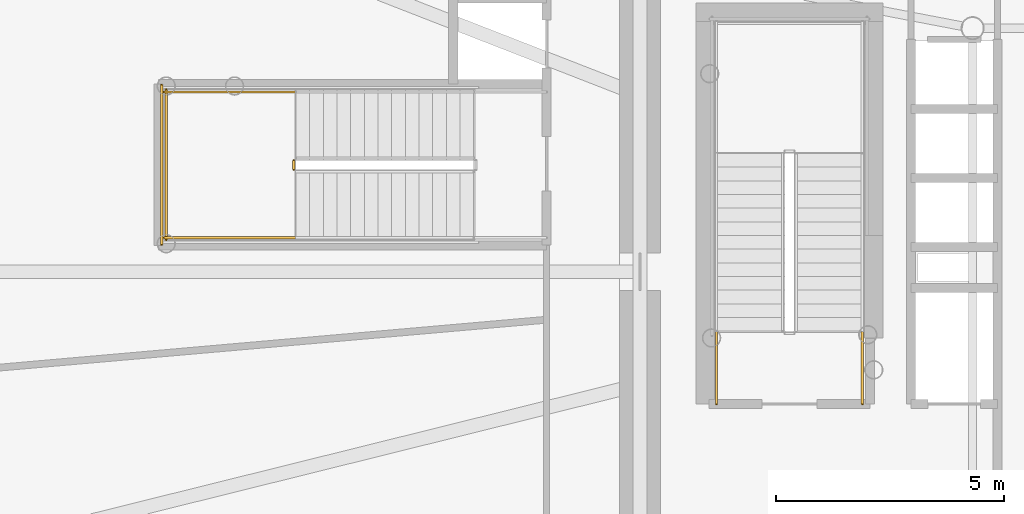
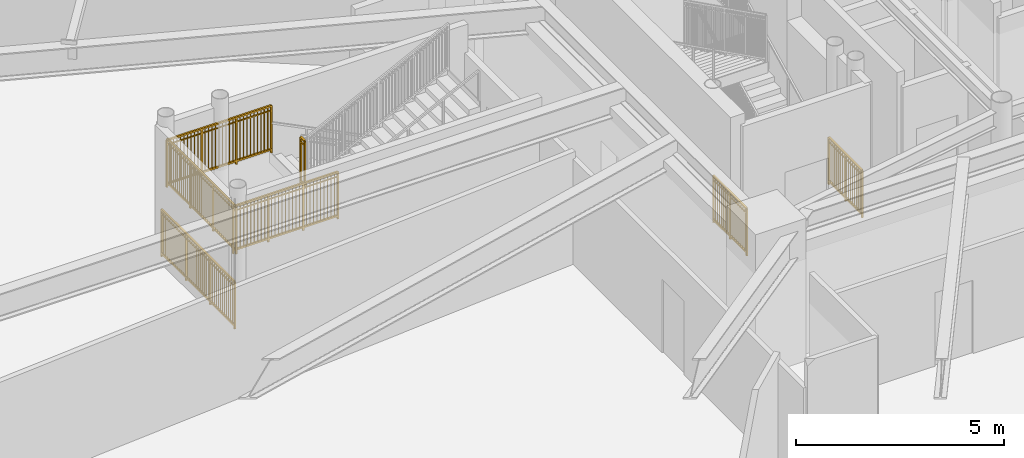
# One storey, part 20 of 30: 7 railings.
"""IFC4 building model written with IfcOpenShell, lengths in metres."""

import ifcopenshell
import ifcopenshell.guid

model = None  # the IFC model being written
_history = None  # IfcOwnerHistory: only IFC2X3 demands one
_inside = {}  # id of a spatial element -> (the spatial element, [elements in it])
_under = {}  # id of a project, library or spatial element -> (it, [spatial elements below it])
_declared = {}  # id of a project -> (the project, [libraries it declares])
_typed = {}  # id of a type object -> (the type object, [elements of that type])
_made_of = {}  # id of a material, layer set ... -> (it, [elements and type objects made of it])


def new_model(schema):
    """Start an empty IFC model of exactly this schema.

    Asked for "IFC4X3", IfcOpenShell would pick the latest addendum, in which some entities
    have other attributes; the version numbers below select the first issue.
    IFC2X3 requires an IfcOwnerHistory on every rooted entity: one is made here for all.
    """
    global model, _history
    if schema == "IFC4X3":
        model = ifcopenshell.file(schema_version=(4, 3, 0, 0))
    else:
        model = ifcopenshell.file(schema=schema)
    _inside.clear()
    _under.clear()
    _declared.clear()
    _typed.clear()
    _made_of.clear()
    _history = None
    if model.schema == "IFC2X3":
        org = make("IfcOrganization", Name="unknown")
        user = make(
            "IfcPersonAndOrganization",
            ThePerson=make("IfcPerson", FamilyName="unknown"),
            TheOrganization=org,
        )
        app = make(
            "IfcApplication",
            ApplicationDeveloper=org,
            Version="unknown",
            ApplicationFullName="unknown",
            ApplicationIdentifier="unknown",
        )
        _history = make(
            "IfcOwnerHistory",
            OwningUser=user,
            OwningApplication=app,
            ChangeAction="ADDED",
            CreationDate=0,
        )
    return model


def make(cls, **values):
    """One entity of the class cls with the attributes given. An attribute that is None is left unset."""
    return model.create_entity(
        cls, **{name: value for name, value in values.items() if value is not None}
    )


def rooted(cls, **values):
    """An entity with a GlobalId (a new one), such as an element, a storey or a relation."""
    return make(cls, GlobalId=ifcopenshell.guid.new(), OwnerHistory=_history, **values)


def si_unit(unit_type, name, prefix=None):
    """IfcSIUnit, for example si_unit("LENGTHUNIT", "METRE", prefix="MILLI")."""
    return make("IfcSIUnit", UnitType=unit_type, Prefix=prefix, Name=name)


def assignment(units):
    """IfcUnitAssignment: the units of a project."""
    return None if units is None else make("IfcUnitAssignment", Units=units)


def point(xyz):
    """IfcCartesianPoint."""
    return None if xyz is None else make("IfcCartesianPoint", Coordinates=xyz)


def direction(xyz):
    """IfcDirection."""
    return None if xyz is None else make("IfcDirection", DirectionRatios=xyz)


def frame(location, z_axis=None, x_axis=None):
    """IfcAxis2Placement3D, a coordinate frame: its origin and axes. An axis left out is left unset."""
    return make(
        "IfcAxis2Placement3D",
        Location=point(location),
        Axis=direction(z_axis),
        RefDirection=direction(x_axis),
    )


def frame_2d(location, x_axis=None):
    """IfcAxis2Placement2D, a coordinate frame in the plane: its origin and x axis."""
    return make(
        "IfcAxis2Placement2D", Location=point(location), RefDirection=direction(x_axis)
    )


def origin():
    """The frame at (0, 0, 0) with its axes left unset."""
    return frame((0.0, 0.0, 0.0))


def origin_2d():
    """The frame at (0, 0) in the plane with its x axis left unset."""
    return frame_2d((0.0, 0.0))


def place(relative_to, where):
    """IfcLocalPlacement: puts the frame where relative to a parent placement (None: the world)."""
    return make(
        "IfcLocalPlacement", PlacementRelTo=relative_to, RelativePlacement=where
    )


def context(
    kind, dimensions, precision=None, world=None, true_north=None, identifier=None
):
    """IfcGeometricRepresentationContext, for example the 3D "Model" context."""
    return make(
        "IfcGeometricRepresentationContext",
        ContextIdentifier=identifier,
        ContextType=kind,
        CoordinateSpaceDimension=dimensions,
        Precision=precision,
        WorldCoordinateSystem=world,
        TrueNorth=true_north,
    )


def subcontext(parent, identifier, kind, view, scale=None):
    """IfcGeometricRepresentationSubContext, for example "Body" below "Model"."""
    return make(
        "IfcGeometricRepresentationSubContext",
        ContextIdentifier=identifier,
        ContextType=kind,
        ParentContext=parent,
        TargetScale=scale,
        TargetView=view,
    )


def project(units=None, contexts=None):
    """IfcProject with its units and contexts."""
    return rooted(
        "IfcProject",
        Name="project",
        RepresentationContexts=contexts,
        UnitsInContext=assignment(units),
    )


def spatial(cls, under=None, at=None, **own):
    """A site, building, storey or space (cls), placed at a placement, below another one or the project."""
    s = rooted(cls, ObjectPlacement=at, **own)
    if under is not None:
        _under.setdefault(under.id(), (under, []))[1].append(s)
    return s


def profile(cls, at=None, kind="AREA", **sizes):
    """A parametric profile (cls). Its sizes go by their IFC names, for example OverallWidth=200.0."""
    return make(cls, ProfileType=kind, Position=at, **sizes)


def rectangle(**sizes):
    """IfcRectangleProfileDef."""
    return profile("IfcRectangleProfileDef", **sizes)


def extrude(swept, where, along, depth):
    """IfcExtrudedAreaSolid: the profile swept, set in the frame where, extruded along a direction by depth."""
    return make(
        "IfcExtrudedAreaSolid",
        SweptArea=swept,
        Position=where,
        ExtrudedDirection=direction(along),
        Depth=depth,
    )


def shape(context_of_items, identifier, shape_type, items):
    """IfcShapeRepresentation: the items that make up one representation, for example the "Body"."""
    return make(
        "IfcShapeRepresentation",
        ContextOfItems=context_of_items,
        RepresentationIdentifier=identifier,
        RepresentationType=shape_type,
        Items=items,
    )


def source(mapping_origin, context_of_items, identifier, shape_type, items):
    """IfcRepresentationMap: a shape defined once, which mapped items show again and again."""
    return make(
        "IfcRepresentationMap",
        MappingOrigin=mapping_origin,
        MappedRepresentation=shape(context_of_items, identifier, shape_type, items),
    )


def transform(
    local_origin,
    x_axis=None,
    y_axis=None,
    z_axis=None,
    scale=None,
    scale2=None,
    scale3=None,
    uniform=True,
):
    """IfcCartesianTransformationOperator3D, or its non-uniform kind. x_axis, y_axis, z_axis: its Axis1, 2, 3."""
    if uniform:
        return make(
            "IfcCartesianTransformationOperator3D",
            Axis1=direction(x_axis),
            Axis2=direction(y_axis),
            LocalOrigin=point(local_origin),
            Scale=scale,
            Axis3=direction(z_axis),
        )
    return make(
        "IfcCartesianTransformationOperator3DnonUniform",
        Axis1=direction(x_axis),
        Axis2=direction(y_axis),
        LocalOrigin=point(local_origin),
        Scale=scale,
        Axis3=direction(z_axis),
        Scale2=scale2,
        Scale3=scale3,
    )


def mapped(mapping_source, mapping_target):
    """IfcMappedItem: shows the shape of a source again, moved by a transform."""
    return make(
        "IfcMappedItem", MappingSource=mapping_source, MappingTarget=mapping_target
    )


def material(Name=None, Category=None):
    """IfcMaterial."""
    return make("IfcMaterial", Name=Name, Category=Category)


def made_of(thing, what):
    """Note that an element or type object is made of a material, layer set ...; save() writes the relation."""
    if what is not None:
        _made_of.setdefault(what.id(), (what, []))[1].append(thing)
    return thing


def type_object(cls, material=None, **own):
    """A type object (cls), such as IfcWallType, which elements share."""
    return made_of(rooted(cls, **own), material)


def element(
    cls,
    number,
    at=None,
    inside=None,
    cuts=None,
    type_object=None,
    material=None,
    context=None,
    identifier="Body",
    shape_type=None,
    held_by="IfcProductDefinitionShape",
    body=None,
    shapes=None,
    **own,
):
    """One element of the class cls, such as IfcWall. Its Tag is "e" and its number.

    at: its placement. inside: the storey or other place that contains it. cuts: it is an
    opening in that element (IfcRelVoidsElement). A single representation is given by context,
    identifier, shape_type and body (its items); several are given by shapes. held_by: the class
    of the entity that holds the representations. save() writes the other relations.
    """
    e = rooted(cls, Tag="e%d" % number, ObjectPlacement=at, **own)
    if body is not None:
        shapes = [shape(context, identifier, shape_type, body)]
    if shapes is not None:
        e.Representation = make(held_by, Representations=shapes)
    if inside is not None:
        _inside.setdefault(inside.id(), (inside, []))[1].append(e)
    if cuts is not None:
        rooted(
            "IfcRelVoidsElement", RelatingBuildingElement=cuts, RelatedOpeningElement=e
        )
    if type_object is not None:
        _typed.setdefault(type_object.id(), (type_object, []))[1].append(e)
    return made_of(e, material)


def aggregate(whole, parts):
    """IfcRelAggregates: a whole, such as a stair, and the parts it consists of."""
    return rooted("IfcRelAggregates", RelatingObject=whole, RelatedObjects=parts)


def save(model, path):
    """Write the relations noted so far, then the file.

    IfcRelAggregates (storeys below a building ...), IfcRelContainedInSpatialStructure (elements
    in a storey), IfcRelDefinesByType, IfcRelAssociatesMaterial and IfcRelDeclares: one each for
    every whole, place, type object, material and project.
    """
    for whole, parts in _under.values():
        aggregate(whole, parts)
    for where, things in _inside.values():
        rooted(
            "IfcRelContainedInSpatialStructure",
            RelatedElements=things,
            RelatingStructure=where,
        )
    for kind, things in _typed.values():
        rooted("IfcRelDefinesByType", RelatedObjects=things, RelatingType=kind)
    for what, things in _made_of.values():
        rooted("IfcRelAssociatesMaterial", RelatedObjects=things, RelatingMaterial=what)
    for by, libraries in _declared.values():
        rooted("IfcRelDeclares", RelatingContext=by, RelatedDefinitions=libraries)
    model.write(path)


model = new_model("IFC4")

# Units and contexts
model_context = context("Model", 3, precision=1e-05, world=origin(), true_north=direction((0.0, 1.0)))
body_context = subcontext(model_context, "Body", "Model", "MODEL_VIEW")
ifc_project = project(units=[si_unit("LENGTHUNIT", "METRE"), si_unit("AREAUNIT", "SQUARE_METRE"), si_unit("VOLUMEUNIT", "CUBIC_METRE"), si_unit("PLANEANGLEUNIT", "RADIAN"), si_unit("MASSUNIT", "GRAM", prefix="KILO")], contexts=[model_context])

# Site, building, storey
site_placement = place(None, origin())
site = spatial("IfcSite", under=ifc_project, at=site_placement, CompositionType="ELEMENT")
building_placement = place(site_placement, origin())
building = spatial("IfcBuilding", under=site, at=building_placement, Name="Linh Dai School and Residence Tower", CompositionType="ELEMENT")
storey_placement = place(building_placement, frame((0.0, 0.0, 10.199951171875)))
storey = spatial("IfcBuildingStorey", under=building, at=storey_placement, Name="L02", CompositionType="ELEMENT", Elevation=10.199951171875)

# Railings
ifc_material = material(Name="Structural Steel S355JR", Category="steel")
railing_type = type_object("IfcRailingType", Name="RL-ST-GUARD-1400", PredefinedType="GUARDRAIL", material=ifc_material)
shared_shape_1 = source(origin(), body_context, "Body", "SweptSolid", [
    extrude(rectangle(XDim=0.048095703125, YDim=0.048095703125, at=origin_2d()), frame((0.0, 0.0, 1.3759765625), z_axis=(0.0, 1.0, 0.0), x_axis=(-1.0, 0.0, 0.0)), (0.0, 0.0, 1.0), 1.599853515625),
    extrude(rectangle(XDim=0.048095703125, YDim=0.048095703125, at=origin_2d()), frame((0.0, 0.0, 0.10009765625), z_axis=(0.0, 1.0, 0.0), x_axis=(-1.0, 0.0, 0.0)), (0.0, 0.0, 1.0), 1.599853515625),
    extrude(rectangle(XDim=0.030029296875, YDim=0.030029296875, at=origin_2d()), frame((0.0, 0.0, 1.239990234375), z_axis=(0.0, 1.0, 0.0), x_axis=(-1.0, 0.0, 0.0)), (0.0, 0.0, 1.0), 1.599853515625),
    extrude(rectangle(XDim=0.02001953125, YDim=0.02001953125, at=origin_2d()), frame((0.0, 0.093994140625, 0.10009765625)), (0.0, 0.0, 1.0), 1.251708984375),
    extrude(rectangle(XDim=0.02001953125, YDim=0.02001953125, at=origin_2d()), frame((0.0, 0.188232421875, 0.10009765625)), (0.0, 0.0, 1.0), 1.251708984375),
    extrude(rectangle(XDim=0.02001953125, YDim=0.02001953125, at=origin_2d()), frame((0.0, 0.2822265625, 0.10009765625)), (0.0, 0.0, 1.0), 1.251708984375),
    extrude(rectangle(XDim=0.02001953125, YDim=0.02001953125, at=origin_2d()), frame((0.0, 0.37646484375, 0.10009765625)), (0.0, 0.0, 1.0), 1.251708984375),
    extrude(rectangle(XDim=0.02001953125, YDim=0.02001953125, at=origin_2d()), frame((0.0, 0.470458984375, 0.10009765625)), (0.0, 0.0, 1.0), 1.251708984375),
    extrude(rectangle(XDim=0.02001953125, YDim=0.02001953125, at=origin_2d()), frame((0.0, 0.564697265625, 0.10009765625)), (0.0, 0.0, 1.0), 1.251708984375),
    extrude(rectangle(XDim=0.02001953125, YDim=0.02001953125, at=origin_2d()), frame((0.0, 0.65869140625, 0.10009765625)), (0.0, 0.0, 1.0), 1.251708984375),
    extrude(rectangle(XDim=0.02001953125, YDim=0.02001953125, at=origin_2d()), frame((0.0, 0.7529296875, 0.10009765625)), (0.0, 0.0, 1.0), 1.251708984375),
    extrude(rectangle(XDim=0.02001953125, YDim=0.02001953125, at=origin_2d()), frame((0.0, 0.846923828125, 0.10009765625)), (0.0, 0.0, 1.0), 1.251708984375),
    extrude(rectangle(XDim=0.02001953125, YDim=0.02001953125, at=origin_2d()), frame((0.0, 0.941162109375, 0.10009765625)), (0.0, 0.0, 1.0), 1.251708984375),
    extrude(rectangle(XDim=0.02001953125, YDim=0.02001953125, at=origin_2d()), frame((0.0, 1.03515625, 0.10009765625)), (0.0, 0.0, 1.0), 1.251708984375),
    extrude(rectangle(XDim=0.02001953125, YDim=0.02001953125, at=origin_2d()), frame((0.0, 1.12939453125, 0.10009765625)), (0.0, 0.0, 1.0), 1.251708984375),
    extrude(rectangle(XDim=0.02001953125, YDim=0.02001953125, at=origin_2d()), frame((0.0, 1.223388671875, 0.10009765625)), (0.0, 0.0, 1.0), 1.251708984375),
    extrude(rectangle(XDim=0.02001953125, YDim=0.02001953125, at=origin_2d()), frame((0.0, 1.317626953125, 0.10009765625)), (0.0, 0.0, 1.0), 1.251708984375),
    extrude(rectangle(XDim=0.02001953125, YDim=0.02001953125, at=origin_2d()), frame((0.0, 1.41162109375, 0.10009765625)), (0.0, 0.0, 1.0), 1.251708984375),
    extrude(rectangle(XDim=0.02001953125, YDim=0.02001953125, at=origin_2d()), frame((0.0, 1.505859375, 0.10009765625)), (0.0, 0.0, 1.0), 1.251708984375),
    extrude(rectangle(XDim=0.0419921875, YDim=0.0419921875, at=origin_2d()), origin(), (0.0, 0.0, 1.0), 1.3759765625),
    extrude(rectangle(XDim=0.0419921875, YDim=0.0419921875, at=origin_2d()), frame((0.0, 0.7998046875, 0.0)), (0.0, 0.0, 1.0), 1.3759765625),
    extrude(rectangle(XDim=0.0419921875, YDim=0.0419921875, at=origin_2d()), frame((0.0, 1.599853515625, 0.0)), (0.0, 0.0, 1.0), 1.3759765625),
])
for number, where, name in (
    (1, (30.929931640625, 24.10009765625, 0.0), "L02 ST1 stair guard 8"),
    (2, (27.72998046875, 24.10009765625, 0.0), "L02 ST1 stair guard 9"),
):
    element("IfcRailing", number, at=place(storey_placement, frame(where)), inside=storey, type_object=railing_type, Name=name, PredefinedType="GUARDRAIL", context=body_context, shape_type="MappedRepresentation", body=[
        mapped(shared_shape_1, transform((0.0, 0.0, 0.0), x_axis=(1.0, 0.0, 0.0), y_axis=(0.0, 1.0, 0.0), z_axis=(0.0, 0.0, 1.0), scale=1.0)),
    ])
shared_shape_2 = source(origin(), body_context, "Body", "SweptSolid", [
    extrude(rectangle(XDim=0.048095703125, YDim=0.048095703125, at=origin_2d()), frame((0.0, 0.0, 1.3759765625), z_axis=(0.0, -1.0, 0.0), x_axis=(1.0, 0.0, 0.0)), (0.0, 0.0, 1.0), 0.199951171875),
    extrude(rectangle(XDim=0.048095703125, YDim=0.048095703125, at=origin_2d()), frame((0.0, 0.0, 0.10009765625), z_axis=(0.0, -1.0, 0.0), x_axis=(1.0, 0.0, 0.0)), (0.0, 0.0, 1.0), 0.199951171875),
    extrude(rectangle(XDim=0.030029296875, YDim=0.030029296875, at=origin_2d()), frame((0.0, 0.0, 1.239990234375), z_axis=(0.0, -1.0, 0.0), x_axis=(1.0, 0.0, 0.0)), (0.0, 0.0, 1.0), 0.199951171875),
    extrude(rectangle(XDim=0.0419921875, YDim=0.0419921875, at=origin_2d()), origin(), (0.0, 0.0, 1.0), 1.3759765625),
    extrude(rectangle(XDim=0.0419921875, YDim=0.0419921875, at=origin_2d()), frame((0.0, -0.199951171875, 0.0)), (0.0, 0.0, 1.0), 1.3759765625),
])
railing_1_placement = place(storey_placement, frame((18.449951171875, 29.449951171875, 2.10009765625)))
element("IfcRailing", 3, at=railing_1_placement, inside=storey, type_object=railing_type, Name="L02 STS1 stair guard 2", PredefinedType="GUARDRAIL", context=body_context, shape_type="MappedRepresentation", body=[
    mapped(shared_shape_2, transform((0.0, 0.0, 0.0), x_axis=(1.0, 0.0, 0.0), y_axis=(0.0, 1.0, 0.0), z_axis=(0.0, 0.0, 1.0), scale=1.0)),
])
shared_shape_3 = source(origin(), body_context, "Body", "SweptSolid", [
    extrude(rectangle(XDim=0.048095703125, YDim=0.048095703125, at=origin_2d()), frame((0.0, 0.0, 1.3759765625), z_axis=(0.0, -1.0, 0.0), x_axis=(1.0, 0.0, 0.0)), (0.0, 0.0, 1.0), 3.300048828125),
    extrude(rectangle(XDim=0.048095703125, YDim=0.048095703125, at=origin_2d()), frame((0.0, 0.0, 0.10009765625), z_axis=(0.0, -1.0, 0.0), x_axis=(1.0, 0.0, 0.0)), (0.0, 0.0, 1.0), 3.300048828125),
    extrude(rectangle(XDim=0.030029296875, YDim=0.030029296875, at=origin_2d()), frame((0.0, 0.0, 1.239990234375), z_axis=(0.0, -1.0, 0.0), x_axis=(1.0, 0.0, 0.0)), (0.0, 0.0, 1.0), 3.300048828125),
    extrude(rectangle(XDim=0.02001953125, YDim=0.02001953125, at=origin_2d()), frame((0.0, -0.09716796875, 0.10009765625)), (0.0, 0.0, 1.0), 1.251708984375),
    extrude(rectangle(XDim=0.02001953125, YDim=0.02001953125, at=origin_2d()), frame((0.0, -0.194091796875, 0.10009765625)), (0.0, 0.0, 1.0), 1.251708984375),
    extrude(rectangle(XDim=0.02001953125, YDim=0.02001953125, at=origin_2d()), frame((0.0, -0.291259765625, 0.10009765625)), (0.0, 0.0, 1.0), 1.251708984375),
    extrude(rectangle(XDim=0.02001953125, YDim=0.02001953125, at=origin_2d()), frame((0.0, -0.38818359375, 0.10009765625)), (0.0, 0.0, 1.0), 1.251708984375),
    extrude(rectangle(XDim=0.02001953125, YDim=0.02001953125, at=origin_2d()), frame((0.0, -0.4853515625, 0.10009765625)), (0.0, 0.0, 1.0), 1.251708984375),
    extrude(rectangle(XDim=0.02001953125, YDim=0.02001953125, at=origin_2d()), frame((0.0, -0.582275390625, 0.10009765625)), (0.0, 0.0, 1.0), 1.251708984375),
    extrude(rectangle(XDim=0.02001953125, YDim=0.02001953125, at=origin_2d()), frame((0.0, -0.679443359375, 0.10009765625)), (0.0, 0.0, 1.0), 1.251708984375),
    extrude(rectangle(XDim=0.02001953125, YDim=0.02001953125, at=origin_2d()), frame((0.0, -0.7763671875, 0.10009765625)), (0.0, 0.0, 1.0), 1.251708984375),
    extrude(rectangle(XDim=0.02001953125, YDim=0.02001953125, at=origin_2d()), frame((0.0, -0.87353515625, 0.10009765625)), (0.0, 0.0, 1.0), 1.251708984375),
    extrude(rectangle(XDim=0.02001953125, YDim=0.02001953125, at=origin_2d()), frame((0.0, -0.970703125, 0.10009765625)), (0.0, 0.0, 1.0), 1.251708984375),
    extrude(rectangle(XDim=0.02001953125, YDim=0.02001953125, at=origin_2d()), frame((0.0, -1.164794921875, 0.10009765625)), (0.0, 0.0, 1.0), 1.251708984375),
    extrude(rectangle(XDim=0.02001953125, YDim=0.02001953125, at=origin_2d()), frame((0.0, -1.26171875, 0.10009765625)), (0.0, 0.0, 1.0), 1.251708984375),
    extrude(rectangle(XDim=0.02001953125, YDim=0.02001953125, at=origin_2d()), frame((0.0, -1.35888671875, 0.10009765625)), (0.0, 0.0, 1.0), 1.251708984375),
    extrude(rectangle(XDim=0.02001953125, YDim=0.02001953125, at=origin_2d()), frame((0.0, -1.455810546875, 0.10009765625)), (0.0, 0.0, 1.0), 1.251708984375),
    extrude(rectangle(XDim=0.02001953125, YDim=0.02001953125, at=origin_2d()), frame((0.0, -1.552978515625, 0.10009765625)), (0.0, 0.0, 1.0), 1.251708984375),
    extrude(rectangle(XDim=0.02001953125, YDim=0.02001953125, at=origin_2d()), frame((0.0, -1.64990234375, 0.10009765625)), (0.0, 0.0, 1.0), 1.251708984375),
    extrude(rectangle(XDim=0.02001953125, YDim=0.02001953125, at=origin_2d()), frame((0.0, -1.7470703125, 0.10009765625)), (0.0, 0.0, 1.0), 1.251708984375),
    extrude(rectangle(XDim=0.02001953125, YDim=0.02001953125, at=origin_2d()), frame((0.0, -1.84423828125, 0.10009765625)), (0.0, 0.0, 1.0), 1.251708984375),
    extrude(rectangle(XDim=0.02001953125, YDim=0.02001953125, at=origin_2d()), frame((0.0, -1.941162109375, 0.10009765625)), (0.0, 0.0, 1.0), 1.251708984375),
    extrude(rectangle(XDim=0.02001953125, YDim=0.02001953125, at=origin_2d()), frame((0.0, -2.038330078125, 0.10009765625)), (0.0, 0.0, 1.0), 1.251708984375),
    extrude(rectangle(XDim=0.02001953125, YDim=0.02001953125, at=origin_2d()), frame((0.0, -2.13525390625, 0.10009765625)), (0.0, 0.0, 1.0), 1.251708984375),
    extrude(rectangle(XDim=0.02001953125, YDim=0.02001953125, at=origin_2d()), frame((0.0, -2.329345703125, 0.10009765625)), (0.0, 0.0, 1.0), 1.251708984375),
    extrude(rectangle(XDim=0.02001953125, YDim=0.02001953125, at=origin_2d()), frame((0.0, -2.426513671875, 0.10009765625)), (0.0, 0.0, 1.0), 1.251708984375),
    extrude(rectangle(XDim=0.02001953125, YDim=0.02001953125, at=origin_2d()), frame((0.0, -2.523681640625, 0.10009765625)), (0.0, 0.0, 1.0), 1.251708984375),
    extrude(rectangle(XDim=0.02001953125, YDim=0.02001953125, at=origin_2d()), frame((0.0, -2.62060546875, 0.10009765625)), (0.0, 0.0, 1.0), 1.251708984375),
    extrude(rectangle(XDim=0.02001953125, YDim=0.02001953125, at=origin_2d()), frame((0.0, -2.7177734375, 0.10009765625)), (0.0, 0.0, 1.0), 1.251708984375),
    extrude(rectangle(XDim=0.02001953125, YDim=0.02001953125, at=origin_2d()), frame((0.0, -2.814697265625, 0.10009765625)), (0.0, 0.0, 1.0), 1.251708984375),
    extrude(rectangle(XDim=0.02001953125, YDim=0.02001953125, at=origin_2d()), frame((0.0, -2.911865234375, 0.10009765625)), (0.0, 0.0, 1.0), 1.251708984375),
    extrude(rectangle(XDim=0.02001953125, YDim=0.02001953125, at=origin_2d()), frame((0.0, -3.0087890625, 0.10009765625)), (0.0, 0.0, 1.0), 1.251708984375),
    extrude(rectangle(XDim=0.02001953125, YDim=0.02001953125, at=origin_2d()), frame((0.0, -3.10595703125, 0.10009765625)), (0.0, 0.0, 1.0), 1.251708984375),
    extrude(rectangle(XDim=0.02001953125, YDim=0.02001953125, at=origin_2d()), frame((0.0, -3.202880859375, 0.10009765625)), (0.0, 0.0, 1.0), 1.251708984375),
    extrude(rectangle(XDim=0.0419921875, YDim=0.0419921875, at=origin_2d()), origin(), (0.0, 0.0, 1.0), 1.3759765625),
    extrude(rectangle(XDim=0.0419921875, YDim=0.0419921875, at=origin_2d()), frame((0.0, -1.10009765625, 0.0)), (0.0, 0.0, 1.0), 1.3759765625),
    extrude(rectangle(XDim=0.0419921875, YDim=0.0419921875, at=origin_2d()), frame((0.0, -2.199951171875, 0.0)), (0.0, 0.0, 1.0), 1.3759765625),
    extrude(rectangle(XDim=0.0419921875, YDim=0.0419921875, at=origin_2d()), frame((0.0, -3.300048828125, 0.0)), (0.0, 0.0, 1.0), 1.3759765625),
])
railing_2_placement = place(storey_placement, frame((15.64990234375, 31.0, 2.10009765625)))
element("IfcRailing", 4, at=railing_2_placement, inside=storey, type_object=railing_type, Name="L02 STS1 stair guard 5", PredefinedType="GUARDRAIL", context=body_context, shape_type="MappedRepresentation", body=[
    mapped(shared_shape_3, transform((0.0, 0.0, 0.0), x_axis=(1.0, 0.0, 0.0), y_axis=(0.0, 1.0, 0.0), z_axis=(0.0, 0.0, 1.0), scale=1.0)),
])
shared_shape_4 = source(origin(), body_context, "Body", "SweptSolid", [
    extrude(rectangle(XDim=0.048095703125, YDim=0.048095703125, at=origin_2d()), frame((0.0, 0.0, 1.3759765625), z_axis=(-1.0, 0.0, 0.0), x_axis=(0.0, -1.0, 0.0)), (0.0, 0.0, 1.0), 2.89990234375),
    extrude(rectangle(XDim=0.048095703125, YDim=0.048095703125, at=origin_2d()), frame((0.0, 0.0, 0.10009765625), z_axis=(-1.0, 0.0, 0.0), x_axis=(0.0, -1.0, 0.0)), (0.0, 0.0, 1.0), 2.89990234375),
    extrude(rectangle(XDim=0.030029296875, YDim=0.030029296875, at=origin_2d()), frame((0.0, 0.0, 1.239990234375), z_axis=(-1.0, 0.0, 0.0), x_axis=(0.0, -1.0, 0.0)), (0.0, 0.0, 1.0), 2.89990234375),
    extrude(rectangle(XDim=0.02001953125, YDim=0.02001953125, at=origin_2d()), frame((-0.0966796875, 0.0, 0.10009765625)), (0.0, 0.0, 1.0), 1.251708984375),
    extrude(rectangle(XDim=0.02001953125, YDim=0.02001953125, at=origin_2d()), frame((-0.193359375, 0.0, 0.10009765625)), (0.0, 0.0, 1.0), 1.251708984375),
    extrude(rectangle(XDim=0.02001953125, YDim=0.02001953125, at=origin_2d()), frame((-0.2900390625, 0.0, 0.10009765625)), (0.0, 0.0, 1.0), 1.251708984375),
    extrude(rectangle(XDim=0.02001953125, YDim=0.02001953125, at=origin_2d()), frame((-0.38671875, 0.0, 0.10009765625)), (0.0, 0.0, 1.0), 1.251708984375),
    extrude(rectangle(XDim=0.02001953125, YDim=0.02001953125, at=origin_2d()), frame((-0.4833984375, 0.0, 0.10009765625)), (0.0, 0.0, 1.0), 1.251708984375),
    extrude(rectangle(XDim=0.02001953125, YDim=0.02001953125, at=origin_2d()), frame((-0.580078125, 0.0, 0.10009765625)), (0.0, 0.0, 1.0), 1.251708984375),
    extrude(rectangle(XDim=0.02001953125, YDim=0.02001953125, at=origin_2d()), frame((-0.6767578125, 0.0, 0.10009765625)), (0.0, 0.0, 1.0), 1.251708984375),
    extrude(rectangle(XDim=0.02001953125, YDim=0.02001953125, at=origin_2d()), frame((-0.773193359375, 0.0, 0.10009765625)), (0.0, 0.0, 1.0), 1.251708984375),
    extrude(rectangle(XDim=0.02001953125, YDim=0.02001953125, at=origin_2d()), frame((-0.869873046875, 0.0, 0.10009765625)), (0.0, 0.0, 1.0), 1.251708984375),
    extrude(rectangle(XDim=0.02001953125, YDim=0.02001953125, at=origin_2d()), frame((-1.063232421875, 0.0, 0.10009765625)), (0.0, 0.0, 1.0), 1.251708984375),
    extrude(rectangle(XDim=0.02001953125, YDim=0.02001953125, at=origin_2d()), frame((-1.159912109375, 0.0, 0.10009765625)), (0.0, 0.0, 1.0), 1.251708984375),
    extrude(rectangle(XDim=0.02001953125, YDim=0.02001953125, at=origin_2d()), frame((-1.256591796875, 0.0, 0.10009765625)), (0.0, 0.0, 1.0), 1.251708984375),
    extrude(rectangle(XDim=0.02001953125, YDim=0.02001953125, at=origin_2d()), frame((-1.353271484375, 0.0, 0.10009765625)), (0.0, 0.0, 1.0), 1.251708984375),
    extrude(rectangle(XDim=0.02001953125, YDim=0.02001953125, at=origin_2d()), frame((-1.449951171875, 0.0, 0.10009765625)), (0.0, 0.0, 1.0), 1.251708984375),
    extrude(rectangle(XDim=0.02001953125, YDim=0.02001953125, at=origin_2d()), frame((-1.546630859375, 0.0, 0.10009765625)), (0.0, 0.0, 1.0), 1.251708984375),
    extrude(rectangle(XDim=0.02001953125, YDim=0.02001953125, at=origin_2d()), frame((-1.643310546875, 0.0, 0.10009765625)), (0.0, 0.0, 1.0), 1.251708984375),
    extrude(rectangle(XDim=0.02001953125, YDim=0.02001953125, at=origin_2d()), frame((-1.739990234375, 0.0, 0.10009765625)), (0.0, 0.0, 1.0), 1.251708984375),
    extrude(rectangle(XDim=0.02001953125, YDim=0.02001953125, at=origin_2d()), frame((-1.836669921875, 0.0, 0.10009765625)), (0.0, 0.0, 1.0), 1.251708984375),
    extrude(rectangle(XDim=0.02001953125, YDim=0.02001953125, at=origin_2d()), frame((-2.030029296875, 0.0, 0.10009765625)), (0.0, 0.0, 1.0), 1.251708984375),
    extrude(rectangle(XDim=0.02001953125, YDim=0.02001953125, at=origin_2d()), frame((-2.126708984375, 0.0, 0.10009765625)), (0.0, 0.0, 1.0), 1.251708984375),
    extrude(rectangle(XDim=0.02001953125, YDim=0.02001953125, at=origin_2d()), frame((-2.22314453125, 0.0, 0.10009765625)), (0.0, 0.0, 1.0), 1.251708984375),
    extrude(rectangle(XDim=0.02001953125, YDim=0.02001953125, at=origin_2d()), frame((-2.31982421875, 0.0, 0.10009765625)), (0.0, 0.0, 1.0), 1.251708984375),
    extrude(rectangle(XDim=0.02001953125, YDim=0.02001953125, at=origin_2d()), frame((-2.41650390625, 0.0, 0.10009765625)), (0.0, 0.0, 1.0), 1.251708984375),
    extrude(rectangle(XDim=0.02001953125, YDim=0.02001953125, at=origin_2d()), frame((-2.51318359375, 0.0, 0.10009765625)), (0.0, 0.0, 1.0), 1.251708984375),
    extrude(rectangle(XDim=0.02001953125, YDim=0.02001953125, at=origin_2d()), frame((-2.60986328125, 0.0, 0.10009765625)), (0.0, 0.0, 1.0), 1.251708984375),
    extrude(rectangle(XDim=0.02001953125, YDim=0.02001953125, at=origin_2d()), frame((-2.70654296875, 0.0, 0.10009765625)), (0.0, 0.0, 1.0), 1.251708984375),
    extrude(rectangle(XDim=0.02001953125, YDim=0.02001953125, at=origin_2d()), frame((-2.80322265625, 0.0, 0.10009765625)), (0.0, 0.0, 1.0), 1.251708984375),
    extrude(rectangle(XDim=0.0419921875, YDim=0.0419921875, at=origin_2d()), origin(), (0.0, 0.0, 1.0), 1.3759765625),
    extrude(rectangle(XDim=0.0419921875, YDim=0.0419921875, at=origin_2d()), frame((-0.966552734375, 0.0, 0.0)), (0.0, 0.0, 1.0), 1.3759765625),
    extrude(rectangle(XDim=0.0419921875, YDim=0.0419921875, at=origin_2d()), frame((-1.933349609375, 0.0, 0.0)), (0.0, 0.0, 1.0), 1.3759765625),
    extrude(rectangle(XDim=0.0419921875, YDim=0.0419921875, at=origin_2d()), frame((-2.89990234375, 0.0, 0.0)), (0.0, 0.0, 1.0), 1.3759765625),
])
for number, where, name in (
    (5, (18.5, 30.949951171875, 2.10009765625), "L02 STS1 stair guard 3"),
    (6, (18.5, 27.75, 2.10009765625), "L02 STS1 stair guard 4"),
):
    element("IfcRailing", number, at=place(storey_placement, frame(where)), inside=storey, type_object=railing_type, Name=name, PredefinedType="GUARDRAIL", context=body_context, shape_type="MappedRepresentation", body=[
        mapped(shared_shape_4, transform((0.0, 0.0, 0.0), x_axis=(1.0, 0.0, 0.0), y_axis=(0.0, 1.0, 0.0), z_axis=(0.0, 0.0, 1.0), scale=1.0)),
    ])
shared_shape_5 = source(origin(), body_context, "Body", "SweptSolid", [
    extrude(rectangle(XDim=0.048095703125, YDim=0.048095703125, at=origin_2d()), frame((0.0, 0.0, 1.3759765625), z_axis=(0.0, -1.0, 0.0), x_axis=(1.0, 0.0, 0.0)), (0.0, 0.0, 1.0), 3.5),
    extrude(rectangle(XDim=0.048095703125, YDim=0.048095703125, at=origin_2d()), frame((0.0, 0.0, 0.10009765625), z_axis=(0.0, -1.0, 0.0), x_axis=(1.0, 0.0, 0.0)), (0.0, 0.0, 1.0), 3.5),
    extrude(rectangle(XDim=0.030029296875, YDim=0.030029296875, at=origin_2d()), frame((0.0, 0.0, 1.239990234375), z_axis=(0.0, -1.0, 0.0), x_axis=(1.0, 0.0, 0.0)), (0.0, 0.0, 1.0), 3.5),
    extrude(rectangle(XDim=0.02001953125, YDim=0.02001953125, at=origin_2d()), frame((0.0, -0.09716796875, 0.10009765625)), (0.0, 0.0, 1.0), 1.251708984375),
    extrude(rectangle(XDim=0.02001953125, YDim=0.02001953125, at=origin_2d()), frame((0.0, -0.1943359375, 0.10009765625)), (0.0, 0.0, 1.0), 1.251708984375),
    extrude(rectangle(XDim=0.02001953125, YDim=0.02001953125, at=origin_2d()), frame((0.0, -0.291748046875, 0.10009765625)), (0.0, 0.0, 1.0), 1.251708984375),
    extrude(rectangle(XDim=0.02001953125, YDim=0.02001953125, at=origin_2d()), frame((0.0, -0.388916015625, 0.10009765625)), (0.0, 0.0, 1.0), 1.251708984375),
    extrude(rectangle(XDim=0.02001953125, YDim=0.02001953125, at=origin_2d()), frame((0.0, -0.486083984375, 0.10009765625)), (0.0, 0.0, 1.0), 1.251708984375),
    extrude(rectangle(XDim=0.02001953125, YDim=0.02001953125, at=origin_2d()), frame((0.0, -0.583251953125, 0.10009765625)), (0.0, 0.0, 1.0), 1.251708984375),
    extrude(rectangle(XDim=0.02001953125, YDim=0.02001953125, at=origin_2d()), frame((0.0, -0.6806640625, 0.10009765625)), (0.0, 0.0, 1.0), 1.251708984375),
    extrude(rectangle(XDim=0.02001953125, YDim=0.02001953125, at=origin_2d()), frame((0.0, -0.77783203125, 0.10009765625)), (0.0, 0.0, 1.0), 1.251708984375),
    extrude(rectangle(XDim=0.02001953125, YDim=0.02001953125, at=origin_2d()), frame((0.0, -0.875, 0.10009765625)), (0.0, 0.0, 1.0), 1.251708984375),
    extrude(rectangle(XDim=0.02001953125, YDim=0.02001953125, at=origin_2d()), frame((0.0, -0.97216796875, 0.10009765625)), (0.0, 0.0, 1.0), 1.251708984375),
    extrude(rectangle(XDim=0.02001953125, YDim=0.02001953125, at=origin_2d()), frame((0.0, -1.0693359375, 0.10009765625)), (0.0, 0.0, 1.0), 1.251708984375),
    extrude(rectangle(XDim=0.02001953125, YDim=0.02001953125, at=origin_2d()), frame((0.0, -1.263916015625, 0.10009765625)), (0.0, 0.0, 1.0), 1.251708984375),
    extrude(rectangle(XDim=0.02001953125, YDim=0.02001953125, at=origin_2d()), frame((0.0, -1.361083984375, 0.10009765625)), (0.0, 0.0, 1.0), 1.251708984375),
    extrude(rectangle(XDim=0.02001953125, YDim=0.02001953125, at=origin_2d()), frame((0.0, -1.458251953125, 0.10009765625)), (0.0, 0.0, 1.0), 1.251708984375),
    extrude(rectangle(XDim=0.02001953125, YDim=0.02001953125, at=origin_2d()), frame((0.0, -1.5556640625, 0.10009765625)), (0.0, 0.0, 1.0), 1.251708984375),
    extrude(rectangle(XDim=0.02001953125, YDim=0.02001953125, at=origin_2d()), frame((0.0, -1.65283203125, 0.10009765625)), (0.0, 0.0, 1.0), 1.251708984375),
    extrude(rectangle(XDim=0.02001953125, YDim=0.02001953125, at=origin_2d()), frame((0.0, -1.75, 0.10009765625)), (0.0, 0.0, 1.0), 1.251708984375),
    extrude(rectangle(XDim=0.02001953125, YDim=0.02001953125, at=origin_2d()), frame((0.0, -1.84716796875, 0.10009765625)), (0.0, 0.0, 1.0), 1.251708984375),
    extrude(rectangle(XDim=0.02001953125, YDim=0.02001953125, at=origin_2d()), frame((0.0, -1.9443359375, 0.10009765625)), (0.0, 0.0, 1.0), 1.251708984375),
    extrude(rectangle(XDim=0.02001953125, YDim=0.02001953125, at=origin_2d()), frame((0.0, -2.041748046875, 0.10009765625)), (0.0, 0.0, 1.0), 1.251708984375),
    extrude(rectangle(XDim=0.02001953125, YDim=0.02001953125, at=origin_2d()), frame((0.0, -2.138916015625, 0.10009765625)), (0.0, 0.0, 1.0), 1.251708984375),
    extrude(rectangle(XDim=0.02001953125, YDim=0.02001953125, at=origin_2d()), frame((0.0, -2.236083984375, 0.10009765625)), (0.0, 0.0, 1.0), 1.251708984375),
    extrude(rectangle(XDim=0.02001953125, YDim=0.02001953125, at=origin_2d()), frame((0.0, -2.4306640625, 0.10009765625)), (0.0, 0.0, 1.0), 1.251708984375),
    extrude(rectangle(XDim=0.02001953125, YDim=0.02001953125, at=origin_2d()), frame((0.0, -2.52783203125, 0.10009765625)), (0.0, 0.0, 1.0), 1.251708984375),
    extrude(rectangle(XDim=0.02001953125, YDim=0.02001953125, at=origin_2d()), frame((0.0, -2.625, 0.10009765625)), (0.0, 0.0, 1.0), 1.251708984375),
    extrude(rectangle(XDim=0.02001953125, YDim=0.02001953125, at=origin_2d()), frame((0.0, -2.72216796875, 0.10009765625)), (0.0, 0.0, 1.0), 1.251708984375),
    extrude(rectangle(XDim=0.02001953125, YDim=0.02001953125, at=origin_2d()), frame((0.0, -2.8193359375, 0.10009765625)), (0.0, 0.0, 1.0), 1.251708984375),
    extrude(rectangle(XDim=0.02001953125, YDim=0.02001953125, at=origin_2d()), frame((0.0, -2.916748046875, 0.10009765625)), (0.0, 0.0, 1.0), 1.251708984375),
    extrude(rectangle(XDim=0.02001953125, YDim=0.02001953125, at=origin_2d()), frame((0.0, -3.013916015625, 0.10009765625)), (0.0, 0.0, 1.0), 1.251708984375),
    extrude(rectangle(XDim=0.02001953125, YDim=0.02001953125, at=origin_2d()), frame((0.0, -3.111083984375, 0.10009765625)), (0.0, 0.0, 1.0), 1.251708984375),
    extrude(rectangle(XDim=0.02001953125, YDim=0.02001953125, at=origin_2d()), frame((0.0, -3.208251953125, 0.10009765625)), (0.0, 0.0, 1.0), 1.251708984375),
    extrude(rectangle(XDim=0.02001953125, YDim=0.02001953125, at=origin_2d()), frame((0.0, -3.3056640625, 0.10009765625)), (0.0, 0.0, 1.0), 1.251708984375),
    extrude(rectangle(XDim=0.02001953125, YDim=0.02001953125, at=origin_2d()), frame((0.0, -3.40283203125, 0.10009765625)), (0.0, 0.0, 1.0), 1.251708984375),
    extrude(rectangle(XDim=0.0419921875, YDim=0.0419921875, at=origin_2d()), origin(), (0.0, 0.0, 1.0), 1.3759765625),
    extrude(rectangle(XDim=0.0419921875, YDim=0.0419921875, at=origin_2d()), frame((0.0, -1.166748046875, 0.0)), (0.0, 0.0, 1.0), 1.3759765625),
    extrude(rectangle(XDim=0.0419921875, YDim=0.0419921875, at=origin_2d()), frame((0.0, -2.333251953125, 0.0)), (0.0, 0.0, 1.0), 1.3759765625),
    extrude(rectangle(XDim=0.0419921875, YDim=0.0419921875, at=origin_2d()), frame((0.0, -3.5, 0.0)), (0.0, 0.0, 1.0), 1.3759765625),
])
railing_3_placement = place(storey_placement, frame((15.550048828125, 31.10009765625, 0.0)))
element("IfcRailing", 7, at=railing_3_placement, inside=storey, type_object=railing_type, Name="L02 STS1 stair guard 12", PredefinedType="GUARDRAIL", context=body_context, shape_type="MappedRepresentation", body=[
    mapped(shared_shape_5, transform((0.0, 0.0, 0.0), x_axis=(1.0, 0.0, 0.0), y_axis=(0.0, 1.0, 0.0), z_axis=(0.0, 0.0, 1.0), scale=1.0)),
])

save(model, "model.ifc")
